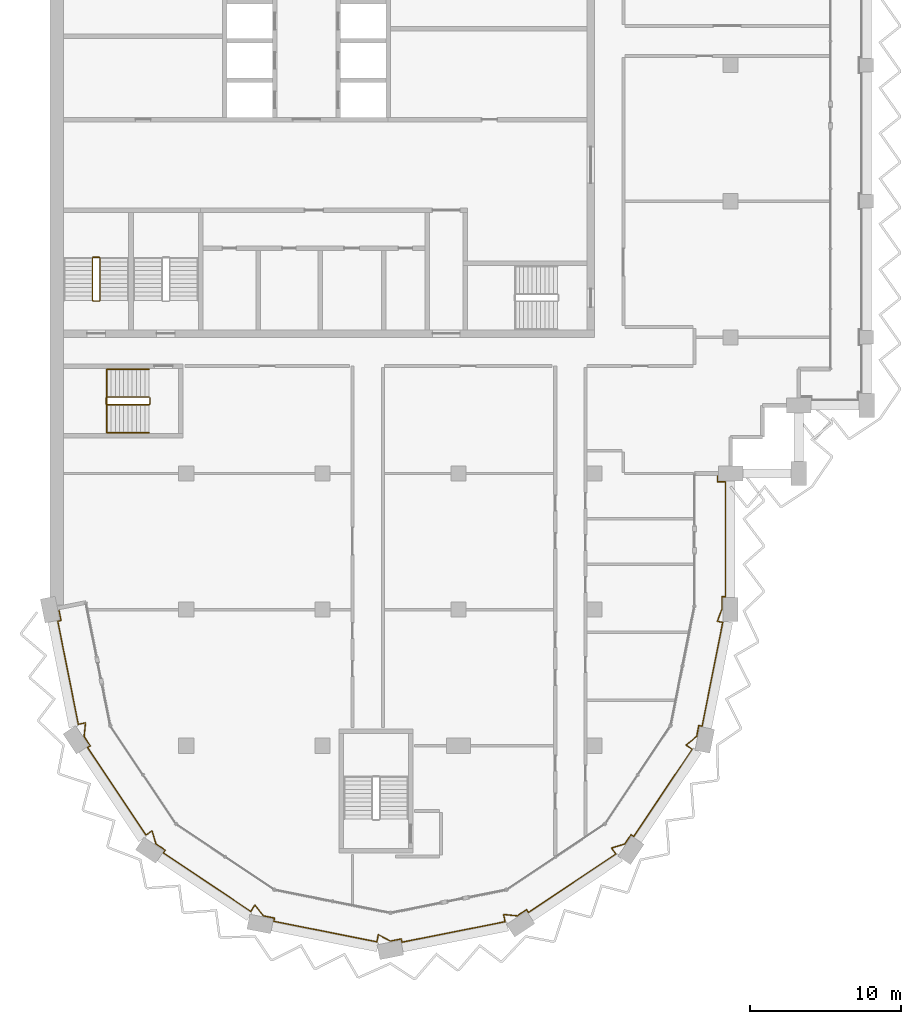
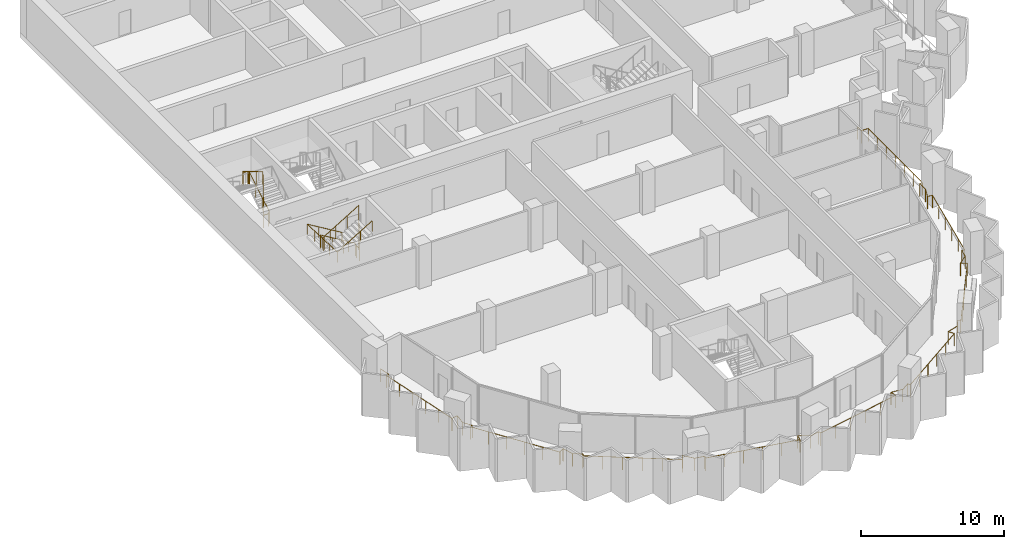
# One storey, part 14 of 16: 4 railings.
"""IFC4 building model written with IfcOpenShell, lengths in metres."""

from ifc_helpers import new_model, si_unit, direction, frame, origin, origin_2d, place, context, subcontext, project, spatial, circle, extrude, material, type_object, element, save


model = new_model("IFC4")

# Units and contexts
model_context = context("Model", 3, precision=1e-05, world=origin(), true_north=direction((0.0, 1.0)))
body_context = subcontext(model_context, "Body", "Model", "MODEL_VIEW")
ifc_project = project(units=[si_unit("LENGTHUNIT", "METRE"), si_unit("AREAUNIT", "SQUARE_METRE"), si_unit("VOLUMEUNIT", "CUBIC_METRE"), si_unit("PLANEANGLEUNIT", "RADIAN"), si_unit("MASSUNIT", "GRAM", prefix="KILO")], contexts=[model_context])

# Site, building, storey
site_placement = place(None, origin())
site = spatial("IfcSite", under=ifc_project, at=site_placement, CompositionType="ELEMENT")
building_placement = place(site_placement, origin())
building = spatial("IfcBuilding", under=site, at=building_placement, Name="Hunhe Ridgeline Campus", CompositionType="ELEMENT")
storey_placement = place(building_placement, frame((0.0, 0.0, 257.699951171875)))
storey = spatial("IfcBuildingStorey", under=building, at=storey_placement, Name="L66", CompositionType="ELEMENT", Elevation=257.699951171875)

# Railings
ifc_material_1 = material(Name="Steel Q355", Category="steel")
railing_type_1 = type_object("IfcRailingType", Name="Loggia guard 1100 Steel Q355", PredefinedType="GUARDRAIL", material=ifc_material_1)
railing_1_placement = place(storey_placement, frame((0.55908203125, 45.111083984375, 0.0)))
element("IfcRailing", 1, at=railing_1_placement, inside=storey, type_object=railing_type_1, Name="Loggia guard 1", PredefinedType="GUARDRAIL", context=body_context, shape_type="SweptSolid", body=[
    extrude(circle(Radius=0.02392578125, at=origin_2d()), frame((0.0, 0.0, 1.076171875), z_axis=(0.195066328581, -0.980790052689, 0.0), x_axis=(0.980790052689, 0.195066328581, 0.0)), (0.0, 0.0, 1.0), 0.849853515625),
    extrude(circle(Radius=0.02392578125, at=origin_2d()), frame((0.165771484375, -0.83349609375, 1.076171875), z_axis=(-0.980750988442, -0.195262640233, 0.0), x_axis=(0.195262640233, -0.980750988442, 0.0)), (0.0, 0.0, 1.0), 0.219970703125),
    extrude(circle(Radius=0.02392578125, at=origin_2d()), frame((-0.050048828125, -0.87646484375, 1.076171875), z_axis=(0.1951025318, -0.980782851647, 0.0), x_axis=(0.980782851647, 0.1951025318, 0.0)), (0.0, 0.0, 1.0), 6.94873046875),
    extrude(circle(Radius=0.02392578125, at=origin_2d()), frame((1.3056640625, -7.691650390625, 1.076171875), z_axis=(0.980791706313, 0.195058014004, 0.0), x_axis=(-0.195058014004, 0.980791706313, 0.0)), (0.0, 0.0, 1.0), 0.488037109375),
    extrude(circle(Radius=0.02392578125, at=origin_2d()), frame((1.784423828125, -7.596435546875, 1.076171875), z_axis=(-0.103312201106, -0.994648977832, 0.0), x_axis=(0.994648977832, -0.103312201106, 0.0)), (0.0, 0.0, 1.0), 0.907470703125),
    extrude(circle(Radius=0.02392578125, at=origin_2d()), frame((1.690673828125, -8.4990234375, 1.076171875), z_axis=(0.555464783965, -0.831540061437, 0.0), x_axis=(0.831540061437, 0.555464783965, 0.0)), (0.0, 0.0, 1.0), 0.736572265625),
    extrude(circle(Radius=0.02392578125, at=origin_2d()), frame((2.099853515625, -9.111572265625, 1.076171875), z_axis=(-0.831708467209, -0.555212594933, 0.0), x_axis=(0.555212594933, -0.831708467209, 0.0)), (0.0, 0.0, 1.0), 0.219970703125),
    extrude(circle(Radius=0.02392578125, at=origin_2d()), frame((1.9169921875, -9.233642578125, 1.076171875), z_axis=(0.555559363791, -0.831476874786, 0.0), x_axis=(0.831476874786, 0.555559363791, 0.0)), (0.0, 0.0, 1.0), 6.948486328125),
    extrude(circle(Radius=0.02392578125, at=origin_2d()), frame((5.77734375, -15.01123046875, 1.076171875), z_axis=(0.831588140797, 0.555392801615, 0.0), x_axis=(-0.555392801615, 0.831588140797, 0.0)), (0.0, 0.0, 1.0), 0.488037109375),
    extrude(circle(Radius=0.02392578125, at=origin_2d()), frame((6.18310546875, -14.740234375, 1.076171875), z_axis=(0.285150626135, -0.958482717849, 0.0), x_axis=(0.958482717849, 0.285150626135, 0.0)), (0.0, 0.0, 1.0), 0.907470703125),
    extrude(circle(Radius=0.02392578125, at=origin_2d()), frame((6.44189453125, -15.610107421875, 1.076171875), z_axis=(0.831540061437, -0.555464783965, 0.0), x_axis=(0.555464783965, 0.831540061437, 0.0)), (0.0, 0.0, 1.0), 0.736572265625),
    extrude(circle(Radius=0.02392578125, at=origin_2d()), frame((7.054443359375, -16.019287109375, 1.076171875), z_axis=(-0.555980009223, -0.831195662491, 0.0), x_axis=(0.831195662491, -0.555980009223, 0.0)), (0.0, 0.0, 1.0), 0.219970703125),
    extrude(circle(Radius=0.02392578125, at=origin_2d()), frame((6.93212890625, -16.2021484375, 1.076171875), z_axis=(0.831460644532, -0.555583654003, 0.0), x_axis=(0.555583654003, 0.831460644532, 0.0)), (0.0, 0.0, 1.0), 6.94873046875),
    extrude(circle(Radius=0.02392578125, at=origin_2d()), frame((12.709716796875, -20.062744140625, 1.076171875), z_axis=(0.555507638283, 0.831511433361, 0.0), x_axis=(-0.831511433361, 0.555507638283, 0.0)), (0.0, 0.0, 1.0), 0.48828125),
    extrude(circle(Radius=0.02392578125, at=origin_2d()), frame((12.98095703125, -19.65673828125, 1.076171875), z_axis=(0.630288754525, -0.776360796227, 0.0), x_axis=(0.776360796227, 0.630288754525, 0.0)), (0.0, 0.0, 1.0), 0.907470703125),
    extrude(circle(Radius=0.02392578125, at=origin_2d()), frame((13.552978515625, -20.361328125, 1.076171875), z_axis=(0.980758742397, -0.19522369019, 0.0), x_axis=(0.19522369019, 0.980758742397, 0.0)), (0.0, 0.0, 1.0), 0.736572265625),
    extrude(circle(Radius=0.02392578125, at=origin_2d()), frame((14.275390625, -20.505126953125, 1.076171875), z_axis=(-0.195262640233, -0.980750988442, 0.0), x_axis=(0.980750988442, -0.195262640233, 0.0)), (0.0, 0.0, 1.0), 0.219970703125),
    extrude(circle(Radius=0.02392578125, at=origin_2d()), frame((14.232421875, -20.720947265625, 1.076171875), z_axis=(0.980789574233, -0.195068734234, 0.0), x_axis=(0.195068734234, 0.980789574233, 0.0)), (0.0, 0.0, 1.0), 6.94873046875),
    extrude(circle(Radius=0.02392578125, at=origin_2d()), frame((21.047607421875, -22.076416015625, 1.076171875), z_axis=(0.195153744134, 0.980772662828, 0.0), x_axis=(-0.980772662828, 0.195153744134, 0.0)), (0.0, 0.0, 1.0), 0.48779296875),
    extrude(circle(Radius=0.02392578125, at=origin_2d()), frame((21.142822265625, -21.597900390625, 1.076171875), z_axis=(0.879371752487, -0.476135821934, 0.0), x_axis=(0.476135821934, 0.879371752487, 0.0)), (0.0, 0.0, 1.0), 0.907470703125),
    extrude(circle(Radius=0.02392578125, at=origin_2d()), frame((21.94091796875, -22.030029296875, 1.076171875), z_axis=(0.980758742397, 0.19522369019, 0.0), x_axis=(-0.19522369019, 0.980758742397, 0.0)), (0.0, 0.0, 1.0), 0.736572265625),
    extrude(circle(Radius=0.02392578125, at=origin_2d()), frame((22.663330078125, -21.88623046875, 1.076171875), z_axis=(0.195262640233, -0.980750988442, 0.0), x_axis=(0.980750988442, 0.195262640233, 0.0)), (0.0, 0.0, 1.0), 0.219970703125),
    extrude(circle(Radius=0.02392578125, at=origin_2d()), frame((22.706298828125, -22.10205078125, 1.076171875), z_axis=(0.980782851647, 0.1951025318, 0.0), x_axis=(-0.1951025318, 0.980782851647, 0.0)), (0.0, 0.0, 1.0), 6.94873046875),
    extrude(circle(Radius=0.02392578125, at=origin_2d()), frame((29.521484375, -20.746337890625, 1.076171875), z_axis=(-0.195058014004, 0.980791706313, 0.0), x_axis=(-0.980791706313, -0.195058014004, 0.0)), (0.0, 0.0, 1.0), 0.488037109375),
    extrude(circle(Radius=0.02392578125, at=origin_2d()), frame((29.42626953125, -20.267578125, 1.076171875), z_axis=(0.994648977832, -0.103312201106, 0.0), x_axis=(0.103312201106, 0.994648977832, 0.0)), (0.0, 0.0, 1.0), 0.907470703125),
    extrude(circle(Radius=0.02392578125, at=origin_2d()), frame((30.328857421875, -20.361328125, 1.076171875), z_axis=(0.831540061437, 0.555464783965, 0.0), x_axis=(-0.555464783965, 0.831540061437, 0.0)), (0.0, 0.0, 1.0), 0.736572265625),
    extrude(circle(Radius=0.02392578125, at=origin_2d()), frame((30.94140625, -19.9521484375, 1.076171875), z_axis=(0.555212594933, -0.831708467209, 0.0), x_axis=(0.831708467209, 0.555212594933, 0.0)), (0.0, 0.0, 1.0), 0.219970703125),
    extrude(circle(Radius=0.02392578125, at=origin_2d()), frame((31.0634765625, -20.135009765625, 1.076171875), z_axis=(0.831476874786, 0.555559363791, 0.0), x_axis=(-0.555559363791, 0.831476874786, 0.0)), (0.0, 0.0, 1.0), 6.948486328125),
    extrude(circle(Radius=0.02392578125, at=origin_2d()), frame((36.841064453125, -16.274658203125, 1.076171875), z_axis=(-0.555392801615, 0.831588140797, 0.0), x_axis=(-0.831588140797, -0.555392801615, 0.0)), (0.0, 0.0, 1.0), 0.488037109375),
    extrude(circle(Radius=0.02392578125, at=origin_2d()), frame((36.570068359375, -15.868896484375, 1.076171875), z_axis=(0.958482717849, 0.285150626135, 0.0), x_axis=(-0.285150626135, 0.958482717849, 0.0)), (0.0, 0.0, 1.0), 0.907470703125),
    extrude(circle(Radius=0.02392578125, at=origin_2d()), frame((37.43994140625, -15.610107421875, 1.076171875), z_axis=(0.555464783965, 0.831540061437, 0.0), x_axis=(-0.831540061437, 0.555464783965, 0.0)), (0.0, 0.0, 1.0), 0.736572265625),
    extrude(circle(Radius=0.02392578125, at=origin_2d()), frame((37.84912109375, -14.99755859375, 1.076171875), z_axis=(0.831195662491, -0.555980009223, 0.0), x_axis=(0.555980009223, 0.831195662491, 0.0)), (0.0, 0.0, 1.0), 0.219970703125),
    extrude(circle(Radius=0.02392578125, at=origin_2d()), frame((38.031982421875, -15.119873046875, 1.076171875), z_axis=(0.555583654003, 0.831460644532, 0.0), x_axis=(-0.831460644532, 0.555583654003, 0.0)), (0.0, 0.0, 1.0), 6.94873046875),
    extrude(circle(Radius=0.02392578125, at=origin_2d()), frame((41.892578125, -9.34228515625, 1.076171875), z_axis=(-0.831511433361, 0.555507638283, 0.0), x_axis=(-0.555507638283, -0.831511433361, 0.0)), (0.0, 0.0, 1.0), 0.48828125),
    extrude(circle(Radius=0.02392578125, at=origin_2d()), frame((41.486572265625, -9.071044921875, 1.076171875), z_axis=(0.776360796227, 0.630288754525, 0.0), x_axis=(-0.630288754525, 0.776360796227, 0.0)), (0.0, 0.0, 1.0), 0.907470703125),
    extrude(circle(Radius=0.02392578125, at=origin_2d()), frame((42.191162109375, -8.4990234375, 1.076171875), z_axis=(0.19522369019, 0.980758742397, 0.0), x_axis=(-0.980758742397, 0.19522369019, 0.0)), (0.0, 0.0, 1.0), 0.736572265625),
    extrude(circle(Radius=0.02392578125, at=origin_2d()), frame((42.3349609375, -7.776611328125, 1.076171875), z_axis=(0.980750988442, -0.195262640233, 0.0), x_axis=(0.195262640233, 0.980750988442, 0.0)), (0.0, 0.0, 1.0), 0.219970703125),
    extrude(circle(Radius=0.02392578125, at=origin_2d()), frame((42.55078125, -7.819580078125, 1.076171875), z_axis=(0.195082678264, 0.980786800809, 0.0), x_axis=(-0.980786800809, 0.195082678264, 0.0)), (0.0, 0.0, 1.0), 6.9970703125),
    extrude(circle(Radius=0.02392578125, at=origin_2d()), frame((43.915771484375, -0.95703125, 1.076171875), z_axis=(-0.980759647752, 0.195219141842, 0.0), x_axis=(-0.195219141842, -0.980759647752, 0.0)), (0.0, 0.0, 1.0), 0.366455078125),
    extrude(circle(Radius=0.02392578125, at=origin_2d()), frame((43.556396484375, -0.885498046875, 1.076171875), z_axis=(0.354074070723, 0.935217382453, 0.0), x_axis=(-0.935217382453, 0.354074070723, 0.0)), (0.0, 0.0, 1.0), 0.88818359375),
    extrude(circle(Radius=0.02392578125, at=origin_2d()), frame((43.870849609375, -0.054931640625, 1.076171875), z_axis=(0.0, 1.0, 0.0), x_axis=(-1.0, 0.0, 0.0)), (0.0, 0.0, 1.0), 0.7939453125),
    extrude(circle(Radius=0.02392578125, at=origin_2d()), frame((43.870849609375, 0.739013671875, 1.076171875), z_axis=(1.0, 0.0, 0.0), x_axis=(0.0, 1.0, 0.0)), (0.0, 0.0, 1.0), 0.219970703125),
    extrude(circle(Radius=0.02392578125, at=origin_2d()), frame((44.0908203125, 0.739013671875, 1.076171875), z_axis=(0.0, 1.0, 0.0), x_axis=(-1.0, 0.0, 0.0)), (0.0, 0.0, 1.0), 7.599853515625),
    extrude(circle(Radius=0.02392578125, at=origin_2d()), frame((44.0908203125, 8.3388671875, 1.076171875), z_axis=(-1.0, 0.0, 0.0), x_axis=(0.0, -1.0, 0.0)), (0.0, 0.0, 1.0), 0.52001953125),
    extrude(circle(Radius=0.02392578125, at=origin_2d()), frame((43.57080078125, 8.3388671875, 1.076171875), z_axis=(0.0, 1.0, 0.0), x_axis=(-1.0, 0.0, 0.0)), (0.0, 0.0, 1.0), 0.550048828125),
    extrude(circle(Radius=0.02099609375, at=origin_2d()), origin(), (0.0, 0.0, 1.0), 1.052001953125),
    extrude(circle(Radius=0.02099609375, at=origin_2d()), frame((0.165771484375, -0.83349609375, 0.0)), (0.0, 0.0, 1.0), 1.052001953125),
    extrude(circle(Radius=0.02099609375, at=origin_2d()), frame((-0.050048828125, -0.87646484375, 0.0)), (0.0, 0.0, 1.0), 1.052001953125),
    extrude(circle(Radius=0.02099609375, at=origin_2d()), frame((0.22119140625, -2.239501953125, 0.0)), (0.0, 0.0, 1.0), 1.052001953125),
    extrude(circle(Radius=0.02099609375, at=origin_2d()), frame((0.4921875, -3.6025390625, 0.0)), (0.0, 0.0, 1.0), 1.052001953125),
    extrude(circle(Radius=0.02099609375, at=origin_2d()), frame((0.763427734375, -4.965576171875, 0.0)), (0.0, 0.0, 1.0), 1.052001953125),
    extrude(circle(Radius=0.02099609375, at=origin_2d()), frame((1.034423828125, -6.32861328125, 0.0)), (0.0, 0.0, 1.0), 1.052001953125),
    extrude(circle(Radius=0.02099609375, at=origin_2d()), frame((1.3056640625, -7.691650390625, 0.0)), (0.0, 0.0, 1.0), 1.052001953125),
    extrude(circle(Radius=0.02099609375, at=origin_2d()), frame((1.784423828125, -7.596435546875, 0.0)), (0.0, 0.0, 1.0), 1.052001953125),
    extrude(circle(Radius=0.02099609375, at=origin_2d()), frame((1.690673828125, -8.4990234375, 0.0)), (0.0, 0.0, 1.0), 1.052001953125),
    extrude(circle(Radius=0.02099609375, at=origin_2d()), frame((2.099853515625, -9.111572265625, 0.0)), (0.0, 0.0, 1.0), 1.052001953125),
    extrude(circle(Radius=0.02099609375, at=origin_2d()), frame((1.9169921875, -9.233642578125, 0.0)), (0.0, 0.0, 1.0), 1.052001953125),
    extrude(circle(Radius=0.02099609375, at=origin_2d()), frame((2.68896484375, -10.38916015625, 0.0)), (0.0, 0.0, 1.0), 1.052001953125),
    extrude(circle(Radius=0.02099609375, at=origin_2d()), frame((3.461181640625, -11.544677734375, 0.0)), (0.0, 0.0, 1.0), 1.052001953125),
    extrude(circle(Radius=0.02099609375, at=origin_2d()), frame((4.233154296875, -12.7001953125, 0.0)), (0.0, 0.0, 1.0), 1.052001953125),
    extrude(circle(Radius=0.02099609375, at=origin_2d()), frame((5.00537109375, -13.855712890625, 0.0)), (0.0, 0.0, 1.0), 1.052001953125),
    extrude(circle(Radius=0.02099609375, at=origin_2d()), frame((5.77734375, -15.01123046875, 0.0)), (0.0, 0.0, 1.0), 1.052001953125),
    extrude(circle(Radius=0.02099609375, at=origin_2d()), frame((6.18310546875, -14.740234375, 0.0)), (0.0, 0.0, 1.0), 1.052001953125),
    extrude(circle(Radius=0.02099609375, at=origin_2d()), frame((6.44189453125, -15.610107421875, 0.0)), (0.0, 0.0, 1.0), 1.052001953125),
    extrude(circle(Radius=0.02099609375, at=origin_2d()), frame((7.054443359375, -16.019287109375, 0.0)), (0.0, 0.0, 1.0), 1.052001953125),
    extrude(circle(Radius=0.02099609375, at=origin_2d()), frame((6.93212890625, -16.2021484375, 0.0)), (0.0, 0.0, 1.0), 1.052001953125),
    extrude(circle(Radius=0.02099609375, at=origin_2d()), frame((8.087646484375, -16.974365234375, 0.0)), (0.0, 0.0, 1.0), 1.052001953125),
    extrude(circle(Radius=0.02099609375, at=origin_2d()), frame((9.2431640625, -17.746337890625, 0.0)), (0.0, 0.0, 1.0), 1.052001953125),
    extrude(circle(Radius=0.02099609375, at=origin_2d()), frame((10.398681640625, -18.5185546875, 0.0)), (0.0, 0.0, 1.0), 1.052001953125),
    extrude(circle(Radius=0.02099609375, at=origin_2d()), frame((11.55419921875, -19.29052734375, 0.0)), (0.0, 0.0, 1.0), 1.052001953125),
    extrude(circle(Radius=0.02099609375, at=origin_2d()), frame((12.709716796875, -20.062744140625, 0.0)), (0.0, 0.0, 1.0), 1.052001953125),
    extrude(circle(Radius=0.02099609375, at=origin_2d()), frame((12.98095703125, -19.65673828125, 0.0)), (0.0, 0.0, 1.0), 1.052001953125),
    extrude(circle(Radius=0.02099609375, at=origin_2d()), frame((13.552978515625, -20.361328125, 0.0)), (0.0, 0.0, 1.0), 1.052001953125),
    extrude(circle(Radius=0.02099609375, at=origin_2d()), frame((14.275390625, -20.505126953125, 0.0)), (0.0, 0.0, 1.0), 1.052001953125),
    extrude(circle(Radius=0.02099609375, at=origin_2d()), frame((14.232421875, -20.720947265625, 0.0)), (0.0, 0.0, 1.0), 1.052001953125),
    extrude(circle(Radius=0.02099609375, at=origin_2d()), frame((15.595458984375, -20.991943359375, 0.0)), (0.0, 0.0, 1.0), 1.052001953125),
    extrude(circle(Radius=0.02099609375, at=origin_2d()), frame((16.95849609375, -21.26318359375, 0.0)), (0.0, 0.0, 1.0), 1.052001953125),
    extrude(circle(Radius=0.02099609375, at=origin_2d()), frame((18.321533203125, -21.5341796875, 0.0)), (0.0, 0.0, 1.0), 1.052001953125),
    extrude(circle(Radius=0.02099609375, at=origin_2d()), frame((19.6845703125, -21.805419921875, 0.0)), (0.0, 0.0, 1.0), 1.052001953125),
    extrude(circle(Radius=0.02099609375, at=origin_2d()), frame((21.047607421875, -22.076416015625, 0.0)), (0.0, 0.0, 1.0), 1.052001953125),
    extrude(circle(Radius=0.02099609375, at=origin_2d()), frame((21.142822265625, -21.597900390625, 0.0)), (0.0, 0.0, 1.0), 1.052001953125),
    extrude(circle(Radius=0.02099609375, at=origin_2d()), frame((21.94091796875, -22.030029296875, 0.0)), (0.0, 0.0, 1.0), 1.052001953125),
    extrude(circle(Radius=0.02099609375, at=origin_2d()), frame((22.663330078125, -21.88623046875, 0.0)), (0.0, 0.0, 1.0), 1.052001953125),
    extrude(circle(Radius=0.02099609375, at=origin_2d()), frame((22.706298828125, -22.10205078125, 0.0)), (0.0, 0.0, 1.0), 1.052001953125),
    extrude(circle(Radius=0.02099609375, at=origin_2d()), frame((24.0693359375, -21.830810546875, 0.0)), (0.0, 0.0, 1.0), 1.052001953125),
    extrude(circle(Radius=0.02099609375, at=origin_2d()), frame((25.432373046875, -21.559814453125, 0.0)), (0.0, 0.0, 1.0), 1.052001953125),
    extrude(circle(Radius=0.02099609375, at=origin_2d()), frame((26.79541015625, -21.28857421875, 0.0)), (0.0, 0.0, 1.0), 1.052001953125),
    extrude(circle(Radius=0.02099609375, at=origin_2d()), frame((28.158447265625, -21.017578125, 0.0)), (0.0, 0.0, 1.0), 1.052001953125),
    extrude(circle(Radius=0.02099609375, at=origin_2d()), frame((29.521484375, -20.746337890625, 0.0)), (0.0, 0.0, 1.0), 1.052001953125),
    extrude(circle(Radius=0.02099609375, at=origin_2d()), frame((29.42626953125, -20.267578125, 0.0)), (0.0, 0.0, 1.0), 1.052001953125),
    extrude(circle(Radius=0.02099609375, at=origin_2d()), frame((30.328857421875, -20.361328125, 0.0)), (0.0, 0.0, 1.0), 1.052001953125),
    extrude(circle(Radius=0.02099609375, at=origin_2d()), frame((30.94140625, -19.9521484375, 0.0)), (0.0, 0.0, 1.0), 1.052001953125),
    extrude(circle(Radius=0.02099609375, at=origin_2d()), frame((31.0634765625, -20.135009765625, 0.0)), (0.0, 0.0, 1.0), 1.052001953125),
    extrude(circle(Radius=0.02099609375, at=origin_2d()), frame((32.218994140625, -19.363037109375, 0.0)), (0.0, 0.0, 1.0), 1.052001953125),
    extrude(circle(Radius=0.02099609375, at=origin_2d()), frame((33.37451171875, -18.5908203125, 0.0)), (0.0, 0.0, 1.0), 1.052001953125),
    extrude(circle(Radius=0.02099609375, at=origin_2d()), frame((34.530029296875, -17.81884765625, 0.0)), (0.0, 0.0, 1.0), 1.052001953125),
    extrude(circle(Radius=0.02099609375, at=origin_2d()), frame((35.685546875, -17.046630859375, 0.0)), (0.0, 0.0, 1.0), 1.052001953125),
    extrude(circle(Radius=0.02099609375, at=origin_2d()), frame((36.841064453125, -16.274658203125, 0.0)), (0.0, 0.0, 1.0), 1.052001953125),
    extrude(circle(Radius=0.02099609375, at=origin_2d()), frame((36.570068359375, -15.868896484375, 0.0)), (0.0, 0.0, 1.0), 1.052001953125),
    extrude(circle(Radius=0.02099609375, at=origin_2d()), frame((37.43994140625, -15.610107421875, 0.0)), (0.0, 0.0, 1.0), 1.052001953125),
    extrude(circle(Radius=0.02099609375, at=origin_2d()), frame((37.84912109375, -14.99755859375, 0.0)), (0.0, 0.0, 1.0), 1.052001953125),
    extrude(circle(Radius=0.02099609375, at=origin_2d()), frame((38.031982421875, -15.119873046875, 0.0)), (0.0, 0.0, 1.0), 1.052001953125),
    extrude(circle(Radius=0.02099609375, at=origin_2d()), frame((38.80419921875, -13.96435546875, 0.0)), (0.0, 0.0, 1.0), 1.052001953125),
    extrude(circle(Radius=0.02099609375, at=origin_2d()), frame((39.576171875, -12.808837890625, 0.0)), (0.0, 0.0, 1.0), 1.052001953125),
    extrude(circle(Radius=0.02099609375, at=origin_2d()), frame((40.348388671875, -11.6533203125, 0.0)), (0.0, 0.0, 1.0), 1.052001953125),
    extrude(circle(Radius=0.02099609375, at=origin_2d()), frame((41.120361328125, -10.497802734375, 0.0)), (0.0, 0.0, 1.0), 1.052001953125),
    extrude(circle(Radius=0.02099609375, at=origin_2d()), frame((41.892578125, -9.34228515625, 0.0)), (0.0, 0.0, 1.0), 1.052001953125),
    extrude(circle(Radius=0.02099609375, at=origin_2d()), frame((41.486572265625, -9.071044921875, 0.0)), (0.0, 0.0, 1.0), 1.052001953125),
    extrude(circle(Radius=0.02099609375, at=origin_2d()), frame((42.191162109375, -8.4990234375, 0.0)), (0.0, 0.0, 1.0), 1.052001953125),
    extrude(circle(Radius=0.02099609375, at=origin_2d()), frame((42.3349609375, -7.776611328125, 0.0)), (0.0, 0.0, 1.0), 1.052001953125),
    extrude(circle(Radius=0.02099609375, at=origin_2d()), frame((42.55078125, -7.819580078125, 0.0)), (0.0, 0.0, 1.0), 1.052001953125),
    extrude(circle(Radius=0.02099609375, at=origin_2d()), frame((42.82373046875, -6.447021484375, 0.0)), (0.0, 0.0, 1.0), 1.052001953125),
    extrude(circle(Radius=0.02099609375, at=origin_2d()), frame((43.0966796875, -5.074462890625, 0.0)), (0.0, 0.0, 1.0), 1.052001953125),
    extrude(circle(Radius=0.02099609375, at=origin_2d()), frame((43.369873046875, -3.7021484375, 0.0)), (0.0, 0.0, 1.0), 1.052001953125),
    extrude(circle(Radius=0.02099609375, at=origin_2d()), frame((43.642822265625, -2.32958984375, 0.0)), (0.0, 0.0, 1.0), 1.052001953125),
    extrude(circle(Radius=0.02099609375, at=origin_2d()), frame((43.915771484375, -0.95703125, 0.0)), (0.0, 0.0, 1.0), 1.052001953125),
    extrude(circle(Radius=0.02099609375, at=origin_2d()), frame((43.556396484375, -0.885498046875, 0.0)), (0.0, 0.0, 1.0), 1.052001953125),
    extrude(circle(Radius=0.02099609375, at=origin_2d()), frame((43.870849609375, -0.054931640625, 0.0)), (0.0, 0.0, 1.0), 1.052001953125),
    extrude(circle(Radius=0.02099609375, at=origin_2d()), frame((43.870849609375, 0.739013671875, 0.0)), (0.0, 0.0, 1.0), 1.052001953125),
    extrude(circle(Radius=0.02099609375, at=origin_2d()), frame((44.0908203125, 0.739013671875, 0.0)), (0.0, 0.0, 1.0), 1.052001953125),
    extrude(circle(Radius=0.02099609375, at=origin_2d()), frame((44.0908203125, 2.005615234375, 0.0)), (0.0, 0.0, 1.0), 1.052001953125),
    extrude(circle(Radius=0.02099609375, at=origin_2d()), frame((44.0908203125, 3.272216796875, 0.0)), (0.0, 0.0, 1.0), 1.052001953125),
    extrude(circle(Radius=0.02099609375, at=origin_2d()), frame((44.0908203125, 4.5390625, 0.0)), (0.0, 0.0, 1.0), 1.052001953125),
    extrude(circle(Radius=0.02099609375, at=origin_2d()), frame((44.0908203125, 5.8056640625, 0.0)), (0.0, 0.0, 1.0), 1.052001953125),
    extrude(circle(Radius=0.02099609375, at=origin_2d()), frame((44.0908203125, 7.072265625, 0.0)), (0.0, 0.0, 1.0), 1.052001953125),
    extrude(circle(Radius=0.02099609375, at=origin_2d()), frame((44.0908203125, 8.3388671875, 0.0)), (0.0, 0.0, 1.0), 1.052001953125),
    extrude(circle(Radius=0.02099609375, at=origin_2d()), frame((43.57080078125, 8.3388671875, 0.0)), (0.0, 0.0, 1.0), 1.052001953125),
    extrude(circle(Radius=0.02099609375, at=origin_2d()), frame((43.57080078125, 8.888916015625, 0.0)), (0.0, 0.0, 1.0), 1.052001953125),
])
ifc_material_2 = material(Name="Stainless steel balustrade", Category="steel")
railing_type_2 = type_object("IfcRailingType", Name="Stair guard 1100 stainless", PredefinedType="GUARDRAIL", material=ifc_material_2)
railing_2_placement = place(storey_placement, frame((3.300048828125, 65.449951171875, 0.168212890625)))
element("IfcRailing", 2, at=railing_2_placement, inside=storey, type_object=railing_type_2, Name="L66 stair S3 guard", PredefinedType="GUARDRAIL", context=body_context, shape_type="SweptSolid", body=[
    extrude(circle(Radius=0.02392578125, at=origin_2d()), frame((0.0, 0.0, 1.076171875), z_axis=(0.0, 0.857242210791, 0.514913383045), x_axis=(-1.0, 0.0, 0.0)), (0.0, 0.0, 1.0), 3.266357421875),
    extrude(circle(Radius=0.02392578125, at=origin_2d()), frame((0.0, 2.800048828125, 2.7578125), z_axis=(-0.707106781187, 0.707106781187, 0.0), x_axis=(-0.707106781187, -0.707106781187, 0.0)), (0.0, 0.0, 1.0), 0.07080078125),
    extrude(circle(Radius=0.02392578125, at=origin_2d()), frame((-0.050048828125, 2.85009765625, 2.7578125), z_axis=(-1.0, 0.0, 0.0), x_axis=(0.0, -1.0, 0.0)), (0.0, 0.0, 1.0), 0.39990234375),
    extrude(circle(Radius=0.02392578125, at=origin_2d()), frame((-0.449951171875, 2.85009765625, 2.7578125), z_axis=(-0.274243871929, -0.274243871929, 0.92172696468), x_axis=(0.707106781187, -0.707106781187, 0.0)), (0.0, 0.0, 1.0), 0.1826171875),
    extrude(circle(Radius=0.02392578125, at=origin_2d()), frame((-0.5, 2.800048828125, 2.92626953125), z_axis=(0.0, -0.857275202839, 0.514858452973), x_axis=(1.0, 0.0, 0.0)), (0.0, 0.0, 1.0), 3.26611328125),
    extrude(circle(Radius=0.02392578125, at=origin_2d()), frame((-0.5, 0.0, 4.60791015625), z_axis=(0.013524414389, -0.013524414389, -0.999817073484), x_axis=(0.707106781187, 0.707106781187, 0.0)), (0.0, 0.0, 1.0), 3.70068359375),
    extrude(circle(Radius=0.02392578125, at=origin_2d()), frame((-0.449951171875, -0.050048828125, 0.90771484375), z_axis=(1.0, 0.0, 0.0), x_axis=(0.0, 1.0, 0.0)), (0.0, 0.0, 1.0), 0.39990234375),
    extrude(circle(Radius=0.02099609375, at=origin_2d()), origin(), (0.0, 0.0, 1.0), 1.052001953125),
    extrude(circle(Radius=0.02099609375, at=origin_2d()), frame((0.0, 0.933349609375, 0.560546875)), (0.0, 0.0, 1.0), 1.052001953125),
    extrude(circle(Radius=0.02099609375, at=origin_2d()), frame((0.0, 1.86669921875, 1.121337890625)), (0.0, 0.0, 1.0), 1.052001953125),
    extrude(circle(Radius=0.02099609375, at=origin_2d()), frame((0.0, 2.800048828125, 1.681884765625)), (0.0, 0.0, 1.0), 1.052001953125),
    extrude(circle(Radius=0.02099609375, at=origin_2d()), frame((-0.050048828125, 2.85009765625, 1.681884765625)), (0.0, 0.0, 1.0), 1.052001953125),
    extrude(circle(Radius=0.02099609375, at=origin_2d()), frame((-0.449951171875, 2.85009765625, 1.681884765625)), (0.0, 0.0, 1.0), 1.052001953125),
    extrude(circle(Radius=0.02099609375, at=origin_2d()), frame((-0.5, 2.800048828125, 1.85009765625)), (0.0, 0.0, 1.0), 1.052001953125),
    extrude(circle(Radius=0.02099609375, at=origin_2d()), frame((-0.5, 1.86669921875, 2.41064453125)), (0.0, 0.0, 1.0), 1.052001953125),
    extrude(circle(Radius=0.02099609375, at=origin_2d()), frame((-0.5, 0.933349609375, 2.97119140625)), (0.0, 0.0, 1.0), 1.052001953125),
    extrude(circle(Radius=0.02099609375, at=origin_2d()), frame((-0.5, 0.0, 3.53173828125)), (0.0, 0.0, 1.0), 1.052001953125),
    extrude(circle(Radius=0.02099609375, at=origin_2d()), frame((-0.487548828125, -0.012451171875, 2.606689453125)), (0.0, 0.0, 1.0), 1.052001953125),
    extrude(circle(Radius=0.02099609375, at=origin_2d()), frame((-0.47509765625, -0.02490234375, 1.681640625)), (0.0, 0.0, 1.0), 1.052001953125),
    extrude(circle(Radius=0.02099609375, at=origin_2d()), frame((-0.46240234375, -0.03759765625, 0.7568359375)), (0.0, 0.0, 1.0), 1.052001953125),
    extrude(circle(Radius=0.02099609375, at=origin_2d()), frame((-0.449951171875, -0.050048828125, -0.168212890625)), (0.0, 0.0, 1.0), 1.052001953125),
    extrude(circle(Radius=0.02099609375, at=origin_2d()), frame((-0.050048828125, -0.050048828125, -0.168212890625)), (0.0, 0.0, 1.0), 1.052001953125),
])
railing_3_placement = place(storey_placement, frame((6.550048828125, 59.050048828125, 0.168212890625)))
element("IfcRailing", 3, at=railing_3_placement, inside=storey, type_object=railing_type_2, Name="L66 stair W2 guard", PredefinedType="GUARDRAIL", context=body_context, shape_type="SweptSolid", body=[
    extrude(circle(Radius=0.02392578125, at=origin_2d()), frame((0.0, 0.0, 1.076171875), z_axis=(-0.857242210791, 0.0, 0.514913383045), x_axis=(0.0, -1.0, 0.0)), (0.0, 0.0, 1.0), 3.266357421875),
    extrude(circle(Radius=0.02392578125, at=origin_2d()), frame((-2.800048828125, 0.0, 2.7578125), z_axis=(-0.707106781187, -0.707106781187, 0.0), x_axis=(0.707106781187, -0.707106781187, 0.0)), (0.0, 0.0, 1.0), 0.07080078125),
    extrude(circle(Radius=0.02392578125, at=origin_2d()), frame((-2.85009765625, -0.050048828125, 2.7578125), z_axis=(0.0, -1.0, 0.0), x_axis=(1.0, 0.0, 0.0)), (0.0, 0.0, 1.0), 0.39990234375),
    extrude(circle(Radius=0.02392578125, at=origin_2d()), frame((-2.85009765625, -0.449951171875, 2.7578125), z_axis=(0.274243871929, -0.274243871929, 0.92172696468), x_axis=(0.707106781187, 0.707106781187, 0.0)), (0.0, 0.0, 1.0), 0.1826171875),
    extrude(circle(Radius=0.02392578125, at=origin_2d()), frame((-2.800048828125, -0.5, 2.92626953125), z_axis=(0.857275202839, 0.0, 0.514858452973), x_axis=(0.0, 1.0, 0.0)), (0.0, 0.0, 1.0), 3.26611328125),
    extrude(circle(Radius=0.02392578125, at=origin_2d()), frame((0.0, -0.5, 4.60791015625), z_axis=(0.013524414389, 0.013524414389, -0.999817073484), x_axis=(-0.707106781187, 0.707106781187, 0.0)), (0.0, 0.0, 1.0), 3.70068359375),
    extrude(circle(Radius=0.02392578125, at=origin_2d()), frame((0.050048828125, -0.449951171875, 0.90771484375), z_axis=(0.0, 1.0, 0.0), x_axis=(-1.0, 0.0, 0.0)), (0.0, 0.0, 1.0), 0.39990234375),
    extrude(circle(Radius=0.02099609375, at=origin_2d()), origin(), (0.0, 0.0, 1.0), 1.052001953125),
    extrude(circle(Radius=0.02099609375, at=origin_2d()), frame((-0.933349609375, 0.0, 0.560546875)), (0.0, 0.0, 1.0), 1.052001953125),
    extrude(circle(Radius=0.02099609375, at=origin_2d()), frame((-1.86669921875, 0.0, 1.121337890625)), (0.0, 0.0, 1.0), 1.052001953125),
    extrude(circle(Radius=0.02099609375, at=origin_2d()), frame((-2.800048828125, 0.0, 1.681884765625)), (0.0, 0.0, 1.0), 1.052001953125),
    extrude(circle(Radius=0.02099609375, at=origin_2d()), frame((-2.85009765625, -0.050048828125, 1.681884765625)), (0.0, 0.0, 1.0), 1.052001953125),
    extrude(circle(Radius=0.02099609375, at=origin_2d()), frame((-2.85009765625, -0.449951171875, 1.681884765625)), (0.0, 0.0, 1.0), 1.052001953125),
    extrude(circle(Radius=0.02099609375, at=origin_2d()), frame((-2.800048828125, -0.5, 1.85009765625)), (0.0, 0.0, 1.0), 1.052001953125),
    extrude(circle(Radius=0.02099609375, at=origin_2d()), frame((-1.86669921875, -0.5, 2.41064453125)), (0.0, 0.0, 1.0), 1.052001953125),
    extrude(circle(Radius=0.02099609375, at=origin_2d()), frame((-0.933349609375, -0.5, 2.97119140625)), (0.0, 0.0, 1.0), 1.052001953125),
    extrude(circle(Radius=0.02099609375, at=origin_2d()), frame((0.0, -0.5, 3.53173828125)), (0.0, 0.0, 1.0), 1.052001953125),
    extrude(circle(Radius=0.02099609375, at=origin_2d()), frame((0.012451171875, -0.487548828125, 2.606689453125)), (0.0, 0.0, 1.0), 1.052001953125),
    extrude(circle(Radius=0.02099609375, at=origin_2d()), frame((0.02490234375, -0.47509765625, 1.681640625)), (0.0, 0.0, 1.0), 1.052001953125),
    extrude(circle(Radius=0.02099609375, at=origin_2d()), frame((0.03759765625, -0.46240234375, 0.7568359375)), (0.0, 0.0, 1.0), 1.052001953125),
    extrude(circle(Radius=0.02099609375, at=origin_2d()), frame((0.050048828125, -0.449951171875, -0.168212890625)), (0.0, 0.0, 1.0), 1.052001953125),
    extrude(circle(Radius=0.02099609375, at=origin_2d()), frame((0.050048828125, -0.050048828125, -0.168212890625)), (0.0, 0.0, 1.0), 1.052001953125),
])
ifc_material_3 = material(Name="Stainless steel handrail", Category="steel")
railing_type_3 = type_object("IfcRailingType", Name="Stair handrail 900 stainless", PredefinedType="HANDRAIL", material=ifc_material_3)
railing_4_placement = place(storey_placement, frame((6.550048828125, 60.89990234375, 0.168212890625)))
element("IfcRailing", 4, at=railing_4_placement, inside=storey, type_object=railing_type_3, Name="L66 stair W2 handrail", PredefinedType="HANDRAIL", context=body_context, shape_type="SweptSolid", body=[
    extrude(circle(Radius=0.02392578125, at=origin_2d()), frame((0.0, 0.0, 0.8759765625), z_axis=(-0.857242210791, 0.0, 0.514913383045), x_axis=(0.0, -1.0, 0.0)), (0.0, 0.0, 1.0), 3.266357421875),
    extrude(circle(Radius=0.02392578125, at=origin_2d()), frame((-2.800048828125, 0.0, 2.5576171875), z_axis=(0.0, -0.999198916169, 0.040019069537), x_axis=(1.0, 0.0, 0.0)), (0.0, 0.0, 1.0), 4.203369140625),
    extrude(circle(Radius=0.02392578125, at=origin_2d()), frame((-2.800048828125, -4.199951171875, 2.72607421875), z_axis=(0.857275202839, 0.0, 0.514858452973), x_axis=(0.0, 1.0, 0.0)), (0.0, 0.0, 1.0), 3.26611328125),
    extrude(circle(Radius=0.02099609375, at=origin_2d()), origin(), (0.0, 0.0, 1.0), 0.851806640625),
    extrude(circle(Radius=0.02099609375, at=origin_2d()), frame((-0.933349609375, 0.0, 0.560546875)), (0.0, 0.0, 1.0), 0.851806640625),
    extrude(circle(Radius=0.02099609375, at=origin_2d()), frame((-1.86669921875, 0.0, 1.121337890625)), (0.0, 0.0, 1.0), 0.851806640625),
    extrude(circle(Radius=0.02099609375, at=origin_2d()), frame((-2.800048828125, 0.0, 1.681884765625)), (0.0, 0.0, 1.0), 0.851806640625),
    extrude(circle(Radius=0.02099609375, at=origin_2d()), frame((-2.800048828125, -1.050048828125, 1.723876953125)), (0.0, 0.0, 1.0), 0.851806640625),
    extrude(circle(Radius=0.02099609375, at=origin_2d()), frame((-2.800048828125, -2.10009765625, 1.76611328125)), (0.0, 0.0, 1.0), 0.851806640625),
    extrude(circle(Radius=0.02099609375, at=origin_2d()), frame((-2.800048828125, -3.14990234375, 1.80810546875)), (0.0, 0.0, 1.0), 0.851806640625),
    extrude(circle(Radius=0.02099609375, at=origin_2d()), frame((-2.800048828125, -4.199951171875, 1.85009765625)), (0.0, 0.0, 1.0), 0.851806640625),
    extrude(circle(Radius=0.02099609375, at=origin_2d()), frame((-1.86669921875, -4.199951171875, 2.41064453125)), (0.0, 0.0, 1.0), 0.851806640625),
    extrude(circle(Radius=0.02099609375, at=origin_2d()), frame((-0.933349609375, -4.199951171875, 2.97119140625)), (0.0, 0.0, 1.0), 0.851806640625),
    extrude(circle(Radius=0.02099609375, at=origin_2d()), frame((0.0, -4.199951171875, 3.53173828125)), (0.0, 0.0, 1.0), 0.851806640625),
])

save(model, "model.ifc")
